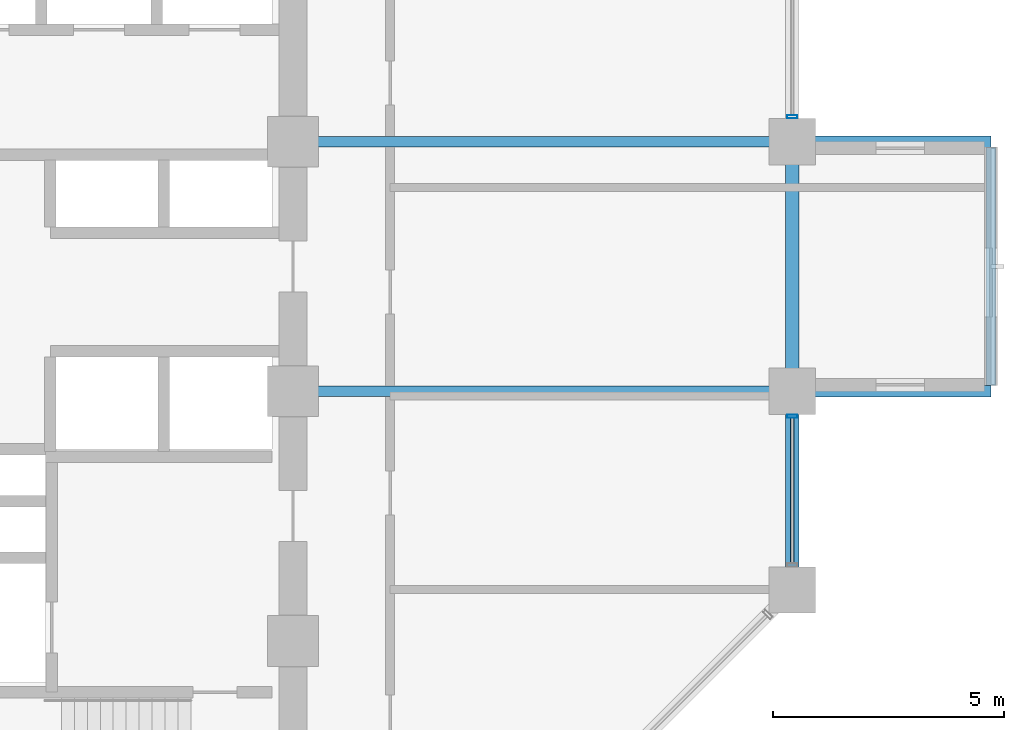
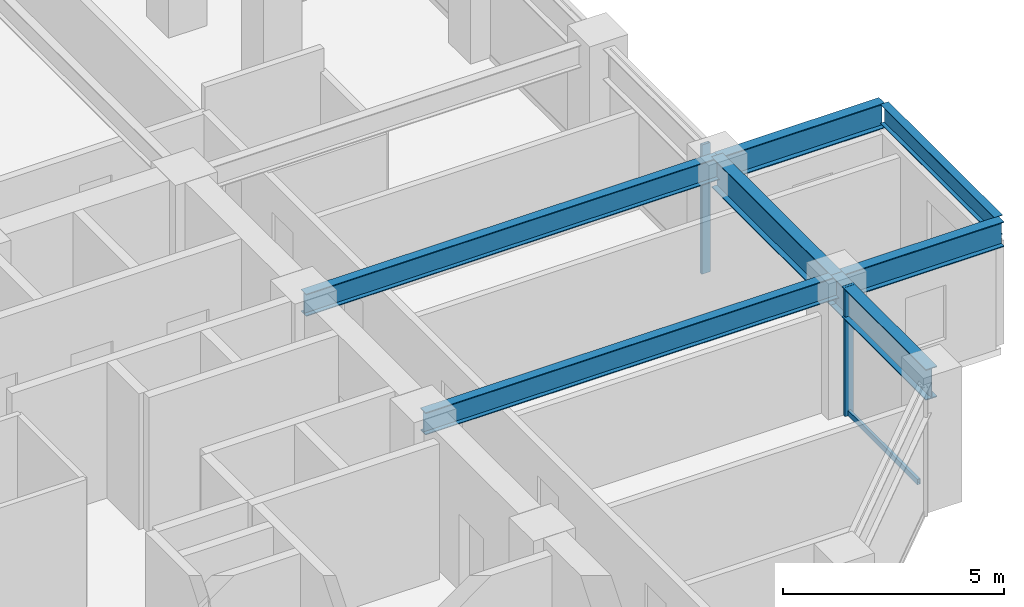
# One storey, part 9 of 25: 7 beams, 3 members, 2 elements without a shape of their own.
"""IFC4 building model written with IfcOpenShell, lengths in metres."""

from ifc_helpers import new_model, si_unit, direction, frame, origin, origin_2d, place, context, subcontext, project, spatial, hollow_rectangle, i_section, extrude, material, layer, layer_set, material_profile, profile_set, type_object, element, aggregate, save


model = new_model("IFC4")

# Units and contexts
model_context = context("Model", 3, precision=1e-05, world=origin(), true_north=direction((0.0, 1.0)))
body_context = subcontext(model_context, "Body", "Model", "MODEL_VIEW")
ifc_project = project(units=[si_unit("LENGTHUNIT", "METRE"), si_unit("AREAUNIT", "SQUARE_METRE"), si_unit("VOLUMEUNIT", "CUBIC_METRE"), si_unit("PLANEANGLEUNIT", "RADIAN"), si_unit("MASSUNIT", "GRAM", prefix="KILO")], contexts=[model_context])

# Site, building, storey
site_placement = place(None, origin())
site = spatial("IfcSite", under=ifc_project, at=site_placement, CompositionType="ELEMENT")
building_placement = place(site_placement, origin())
building = spatial("IfcBuilding", under=site, at=building_placement, Name="Surkhivell Harbour Commons", CompositionType="ELEMENT")
storey_placement = place(building_placement, frame((0.0, 0.0, 139.5)))
storey = spatial("IfcBuildingStorey", under=building, at=storey_placement, Name="L36", CompositionType="ELEMENT", Elevation=139.5)

# Beams
ifc_material_1 = material(Name="Steel S460", Category="steel")
ifc_material_profile_1 = material_profile(ifc_material_1, i_section(OverallWidth=0.256103515625, OverallDepth=0.693115234375, WebThickness=0.014404296875, FlangeThickness=0.023681640625, at=origin_2d()), Name="UB686x254x170")
ifc_profile_set_1 = profile_set([ifc_material_profile_1], Name="Steel S460")
beam_type_1 = type_object("IfcBeamType", Name="BM-CNT-686", PredefinedType="BEAM", material=ifc_profile_set_1)
for number, where, z_axis, x_axis, name in (
    (1, (21.60009765625, 0.0, 3.223388671875), (1.0, 0.0, 0.0), (0.0, 1.0, 0.0), "L36 Box Cantilever Outrigger (21.6,0.0)"),
    (2, (21.60009765625, 5.39990234375, 3.223388671875), (1.0, 0.0, 0.0), (0.0, 1.0, 0.0), "L36 Box Cantilever Outrigger (21.6,5.4)"),
):
    element("IfcBeam", number, at=place(storey_placement, frame(where, z_axis=z_axis, x_axis=x_axis)), inside=storey, type_object=beam_type_1, Name=name, PredefinedType="BEAM", context=body_context, shape_type="SweptSolid", body=[
        extrude(i_section(OverallWidth=0.256103515625, OverallDepth=0.693115234375, WebThickness=0.014404296875, FlangeThickness=0.023681640625, at=origin_2d()), origin(), (0.0, 0.0, 1.0), 4.2998046875),
    ])
ifc_material_2 = material(Name="Steel S355", Category="steel")
ifc_material_profile_2 = material_profile(ifc_material_2, i_section(OverallWidth=0.2099609375, OverallDepth=0.537109375, WebThickness=0.0107421875, FlangeThickness=0.017333984375, at=origin_2d()), Name="UB533x210x101")
ifc_profile_set_2 = profile_set([ifc_material_profile_2], Name="Steel S355")
beam_type_2 = type_object("IfcBeamType", Name="BM-GRD-533B", PredefinedType="BEAM", material=ifc_profile_set_2)
beam_1_placement = place(storey_placement, frame((25.89990234375, 0.1220703125, 3.301513671875), z_axis=(0.0, 1.0, 0.0), x_axis=(-1.0, 0.0, 0.0)))
element("IfcBeam", 3, at=beam_1_placement, inside=storey, type_object=beam_type_2, Name="L36 Box Rim Spandrel (25.9,0.0)", PredefinedType="BEAM", context=body_context, shape_type="SweptSolid", body=[
    extrude(i_section(OverallWidth=0.2099609375, OverallDepth=0.537109375, WebThickness=0.0107421875, FlangeThickness=0.017333984375, at=origin_2d()), origin(), (0.0, 0.0, 1.0), 5.156005859375),
])
ifc_material_profile_3 = material_profile(ifc_material_2, i_section(OverallWidth=0.22998046875, OverallDepth=0.616943359375, WebThickness=0.01318359375, FlangeThickness=0.022216796875, at=origin_2d()), Name="UB610x229x140")
ifc_profile_set_3 = profile_set([ifc_material_profile_3], Name="Steel S355")
beam_type_3 = type_object("IfcBeamType", Name="BM-GRD-610B", PredefinedType="BEAM", material=ifc_profile_set_3)
for number, where, z_axis, x_axis, name in (
    (4, (10.800048828125, 0.0, 3.261474609375), (1.0, 0.0, 0.0), (0.0, 1.0, 0.0), "L36 Cantilever Back-Span Girder (10.8,0.0)"),
    (5, (10.800048828125, 5.39990234375, 3.261474609375), (1.0, 0.0, 0.0), (0.0, 1.0, 0.0), "L36 Cantilever Back-Span Girder (10.8,5.4)"),
):
    element("IfcBeam", number, at=place(storey_placement, frame(where, z_axis=z_axis, x_axis=x_axis)), inside=storey, type_object=beam_type_3, Name=name, PredefinedType="BEAM", context=body_context, shape_type="SweptSolid", body=[
        extrude(i_section(OverallWidth=0.22998046875, OverallDepth=0.616943359375, WebThickness=0.01318359375, FlangeThickness=0.022216796875, at=origin_2d()), origin(), (0.0, 0.0, 1.0), 10.800048828125),
    ])
ifc_material_profile_4 = material_profile(ifc_material_1, i_section(OverallWidth=0.2939453125, OverallDepth=0.85107421875, WebThickness=0.01611328125, FlangeThickness=0.02685546875, at=origin_2d()), Name="UB838x292x226")
ifc_profile_set_4 = profile_set([ifc_material_profile_4], Name="Steel S460")
beam_type_4 = type_object("IfcBeamType", Name="BM-SPN-838", PredefinedType="SPANDREL", material=ifc_profile_set_4)
beam_2_placement = place(storey_placement, frame((21.60009765625, -4.300048828125, 3.14453125), z_axis=(0.0, 1.0, 0.0), x_axis=(-1.0, 0.0, 0.0)))
element("IfcBeam", 6, at=beam_2_placement, inside=storey, type_object=beam_type_4, Name="L36 Tube Spandrel (21.6,-4.3)", PredefinedType="SPANDREL", context=body_context, shape_type="SweptSolid", body=[
    extrude(i_section(OverallWidth=0.2939453125, OverallDepth=0.85107421875, WebThickness=0.01611328125, FlangeThickness=0.02685546875, at=origin_2d()), origin(), (0.0, 0.0, 1.0), 4.300048828125),
])
beam_3_placement = place(storey_placement, frame((21.60009765625, 0.0, 3.14453125), z_axis=(0.0, 1.0, 0.0), x_axis=(-1.0, 0.0, 0.0)))
element("IfcBeam", 7, at=beam_3_placement, inside=storey, type_object=beam_type_4, Name="L36 Tube Spandrel (21.6,0.0)", PredefinedType="SPANDREL", context=body_context, shape_type="SweptSolid", body=[
    extrude(i_section(OverallWidth=0.2939453125, OverallDepth=0.85107421875, WebThickness=0.01611328125, FlangeThickness=0.02685546875, at=origin_2d()), origin(), (0.0, 0.0, 1.0), 5.39990234375),
])

# Curtain wall, member
ifc_material_3 = material(Name="Anodised pale-metal aluminium and insulated glazing", Category="aluminium")
ifc_layer = layer(ifc_material_3, 0.205078125)
ifc_layer_set = layer_set([ifc_layer], Name="Anodised pale-metal aluminium and insulated glazing")
curtain_wall_type = type_object("IfcCurtainWallType", Name="CW-SYS-Z2", PredefinedType="NOTDEFINED", material=ifc_layer_set)
curtain_wall_1_placement = place(storey_placement, origin())
curtain_wall_1 = element("IfcCurtainWall", 8, at=curtain_wall_1_placement, inside=storey, type_object=curtain_wall_type, Name="L36 Curtain Wall CW-L36-E02R1", PredefinedType="NOTDEFINED")
ifc_material_4 = material(Name="Anodised pale-metal aluminium alloy 6063-T6", Category="aluminium")
ifc_material_profile_5 = material_profile(ifc_material_4, hollow_rectangle(XDim=0.074951171875, YDim=0.219970703125, WallThickness=0.00390625, at=origin_2d()), Name="ALU-MULL-75x220")
ifc_profile_set_5 = profile_set([ifc_material_profile_5], Name="Anodised pale-metal aluminium alloy 6063-T6")
member_type_1 = type_object("IfcMemberType", Name="CWM-220", PredefinedType="MULLION", material=ifc_profile_set_5)
member_1_placement = place(storey_placement, frame((21.60009765625, -0.53955078125, 0.0), z_axis=(0.0, 0.0, 1.0), x_axis=(0.0, 1.0, 0.0)))
member_1 = element("IfcMember", 9, at=member_1_placement, type_object=member_type_1, Name="CW-Z2 mullion 2", PredefinedType="MULLION", context=body_context, shape_type="SweptSolid", body=[
    extrude(hollow_rectangle(XDim=0.074951171875, YDim=0.219970703125, WallThickness=0.00390625, at=origin_2d()), origin(), (0.0, 0.0, 1.0), 3.570068359375),
])

curtain_wall_2_placement = place(storey_placement, origin())
curtain_wall_2 = element("IfcCurtainWall", 10, at=curtain_wall_2_placement, inside=storey, type_object=curtain_wall_type, Name="L36 Curtain Wall CW-L36-E02R2", PredefinedType="NOTDEFINED")
member_2_placement = place(storey_placement, frame((21.60009765625, 5.939453125, 0.0), z_axis=(0.0, 0.0, 1.0), x_axis=(0.0, 1.0, 0.0)))
member_2 = element("IfcMember", 11, at=member_2_placement, type_object=member_type_1, Name="CW-Z2 mullion 1", PredefinedType="MULLION", context=body_context, shape_type="SweptSolid", body=[
    extrude(hollow_rectangle(XDim=0.074951171875, YDim=0.219970703125, WallThickness=0.00390625, at=origin_2d()), origin(), (0.0, 0.0, 1.0), 3.570068359375),
])
aggregate(curtain_wall_2, [member_2])

# Member
ifc_material_profile_6 = material_profile(ifc_material_4, hollow_rectangle(XDim=0.074951171875, YDim=0.14990234375, WallThickness=0.00341796875, at=origin_2d()), Name="ALU-TRAN-75x150")
ifc_profile_set_6 = profile_set([ifc_material_profile_6], Name="Anodised pale-metal aluminium alloy 6063-T6")
member_type_2 = type_object("IfcMemberType", Name="CWT-150", PredefinedType="USERDEFINED", material=ifc_profile_set_6)
member_3_placement = place(storey_placement, frame((21.60009765625, -3.722900390625, 0.074951171875), z_axis=(0.0, 1.0, 0.0), x_axis=(-1.0, 0.0, 0.0)))
member_3 = element("IfcMember", 12, at=member_3_placement, type_object=member_type_2, Name="CW-Z2 transom 1.1", ObjectType="TRANSOM", PredefinedType="USERDEFINED", context=body_context, shape_type="SweptSolid", body=[
    extrude(hollow_rectangle(XDim=0.074951171875, YDim=0.14990234375, WallThickness=0.00341796875, at=origin_2d()), origin(), (0.0, 0.0, 1.0), 3.14599609375),
])

aggregate(curtain_wall_1, [member_1, member_3])

save(model, "model.ifc")
